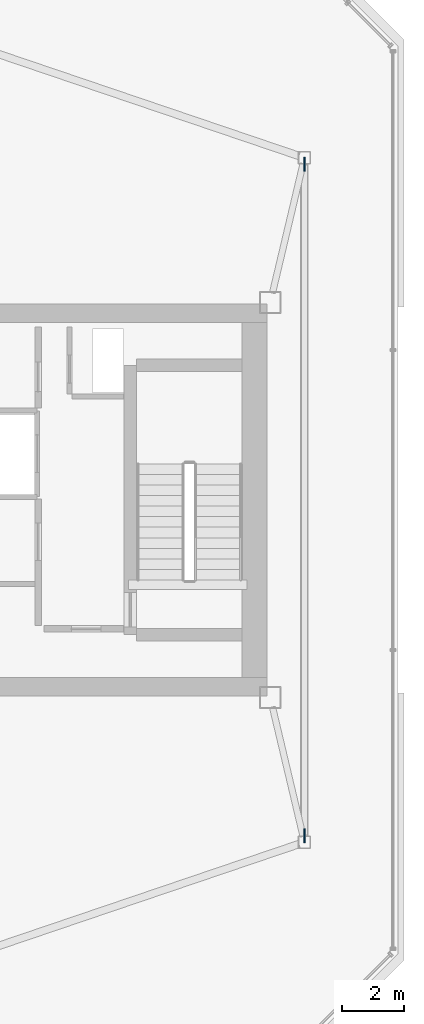
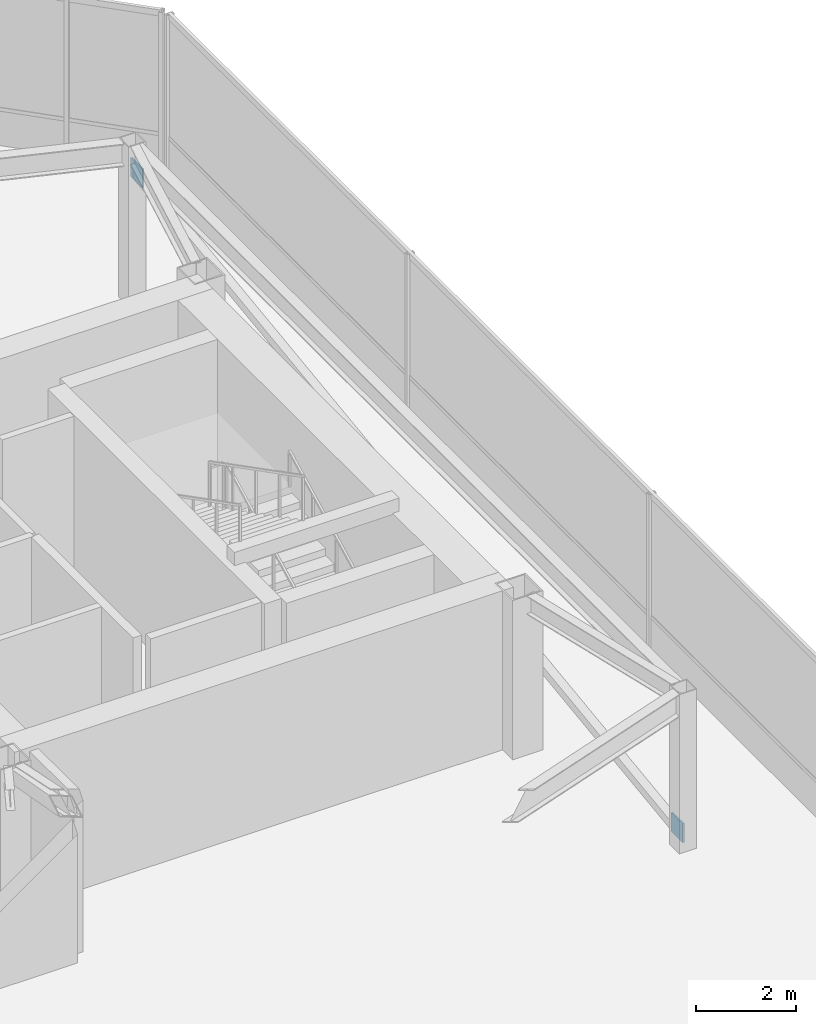
# One storey, part 21 of 22: 2 discrete accessories.
"""IFC4 building model written with IfcOpenShell, lengths in metres."""

from ifc_helpers import new_model, si_unit, direction, frame, origin, origin_2d, place, context, subcontext, project, spatial, rectangle, extrude, material, type_object, element, save


model = new_model("IFC4")

# Units and contexts
model_context = context("Model", 3, precision=1e-05, world=origin(), true_north=direction((0.0, 1.0)))
body_context = subcontext(model_context, "Body", "Model", "MODEL_VIEW")
ifc_project = project(units=[si_unit("LENGTHUNIT", "METRE"), si_unit("AREAUNIT", "SQUARE_METRE"), si_unit("VOLUMEUNIT", "CUBIC_METRE"), si_unit("PLANEANGLEUNIT", "RADIAN"), si_unit("MASSUNIT", "GRAM", prefix="KILO")], contexts=[model_context])

# Site, building, storey
site_placement = place(None, origin())
site = spatial("IfcSite", under=ifc_project, at=site_placement, CompositionType="ELEMENT")
building_placement = place(site_placement, origin())
building = spatial("IfcBuilding", under=site, at=building_placement, Name="Tavrogorsk Clinical Tower", CompositionType="ELEMENT")
storey_placement = place(building_placement, frame((0.0, 0.0, 352.800048828125)))
storey = spatial("IfcBuildingStorey", under=building, at=storey_placement, Name="L82", CompositionType="ELEMENT", Elevation=352.800048828125)

# Discrete accessories
ifc_material = material(Name="Structural steel S440", Category="steel")
discrete_accessory_type = type_object("IfcDiscreteAccessoryType", Name="GussetPlateBracket_25", PredefinedType="BRACKET", material=ifc_material)
for number, where, z_axis, x_axis, name in (
    (1, (23.199951171875, -10.791748046875, 0.09765625), (0.0, 0.0, 1.0), (0.0, 1.0, 0.0), "L82 Brace Gusset Plate CRNBR-L82-2-A"),
    (2, (23.199951171875, 10.791748046875, 2.97216796875), (0.0, 0.0, 1.0), (0.0, 1.0, 0.0), "L82 Brace Gusset Plate CRNBR-L82-2-B"),
):
    element("IfcDiscreteAccessory", number, at=place(storey_placement, frame(where, z_axis=z_axis, x_axis=x_axis)), inside=storey, type_object=discrete_accessory_type, Name=name, PredefinedType="BRACKET", context=body_context, shape_type="SweptSolid", body=[
        extrude(rectangle(XDim=0.4599609375, YDim=0.0400390625, at=origin_2d()), origin(), (0.0, 0.0, 1.0), 0.4599609375),
    ])

save(model, "model.ifc")
